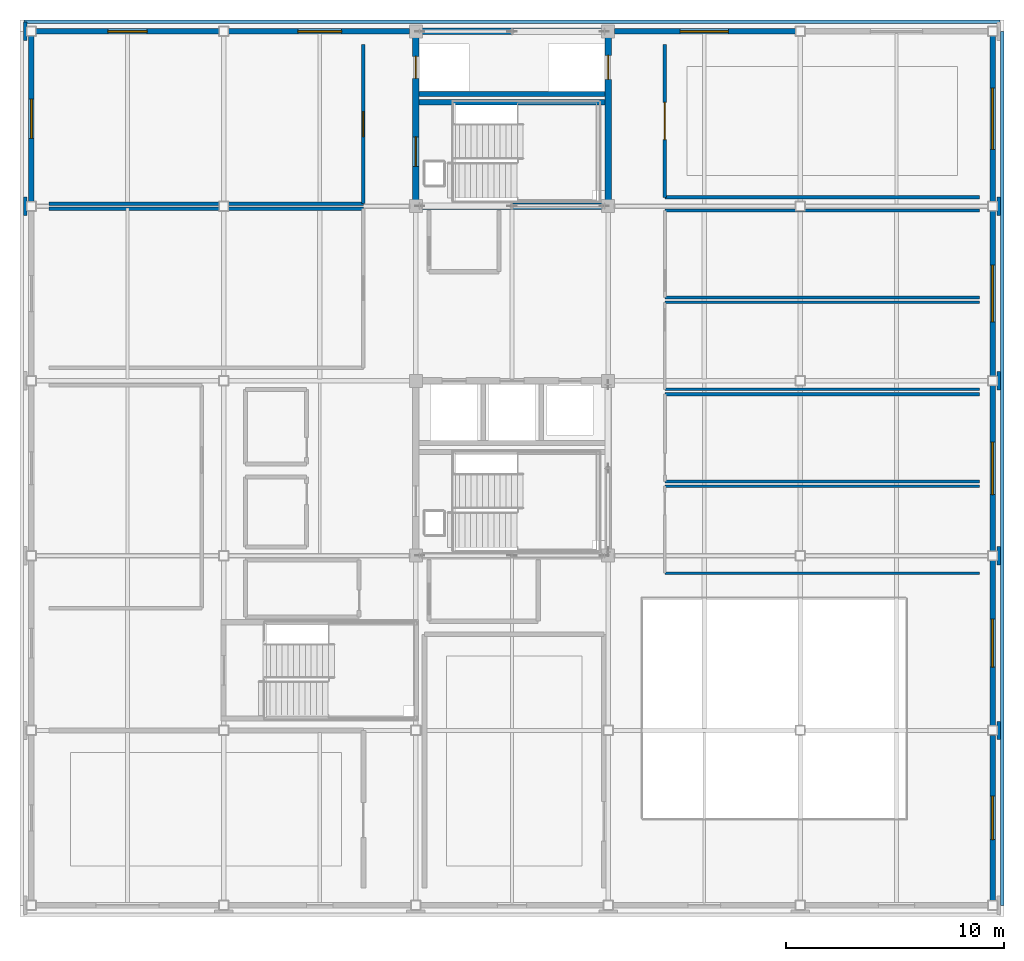
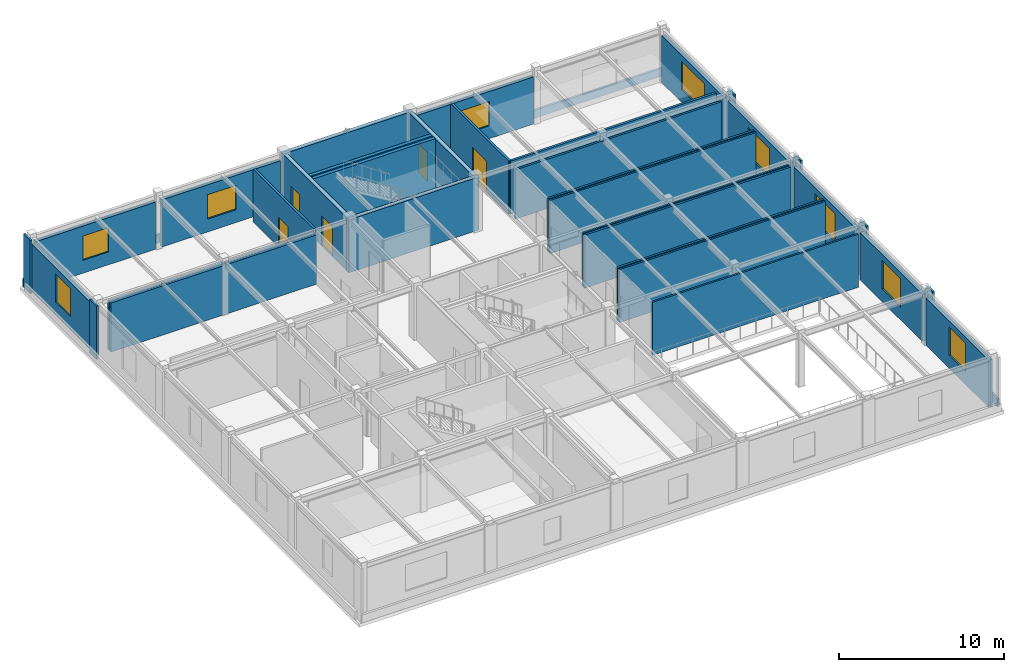
# One storey, part 14 of 18: 36 walls, 9 windows, 5 doors, 14 openings.
"""IFC4 building model written with IfcOpenShell, lengths in metres."""

from ifc_helpers import new_model, si_unit, direction, frame, frame_2d, origin, place, context, subcontext, project, spatial, rectangle, extrude, material, layer, layer_set, type_object, element, fill, save


model = new_model("IFC4")

# Units and contexts
model_context = context("Model", 3, precision=1e-05, world=origin(), true_north=direction((0.0, 1.0)))
body_context = subcontext(model_context, "Body", "Model", "MODEL_VIEW")
ifc_project = project(units=[si_unit("LENGTHUNIT", "METRE"), si_unit("AREAUNIT", "SQUARE_METRE"), si_unit("VOLUMEUNIT", "CUBIC_METRE"), si_unit("PLANEANGLEUNIT", "RADIAN"), si_unit("MASSUNIT", "GRAM", prefix="KILO")], contexts=[model_context])

# Site, building, storey
site_placement = place(None, origin())
site = spatial("IfcSite", under=ifc_project, at=site_placement, CompositionType="ELEMENT")
building_placement = place(site_placement, origin())
building = spatial("IfcBuilding", under=site, at=building_placement, Name="Zhaolan Boulevard Law Courts", CompositionType="ELEMENT")
storey_placement = place(building_placement, frame((0.0, 0.0, 33.0)))
storey = spatial("IfcBuildingStorey", under=building, at=storey_placement, Name="L07", CompositionType="ELEMENT", Elevation=33.0)

# Walls
ifc_material_1 = material(Name="Concrete C50", Category="concrete")
ifc_layer_1 = layer(ifc_material_1, 0.300048828125)
ifc_layer_set_1 = layer_set([ifc_layer_1])
wall_type_1 = type_object("IfcWallType", Name="CORE SHEAR WALL 300", PredefinedType="SHEAR", material=ifc_layer_set_1)
for number, where, z_axis, x_axis, name in (
    (1, (17.449951171875, 62.0, 0.0), (0.0, 0.0, 1.0), (1.0, 0.0, 0.0), "Core Shear Wall CW-W2-L07S"),
    (2, (26.550048828125, 70.0, 0.0), (0.0, 0.0, 1.0), (-1.0, 0.0, 0.0), "Core Shear Wall CW-W2-L07N"),
):
    element("IfcWall", number, at=place(storey_placement, frame(where, z_axis=z_axis, x_axis=x_axis)), inside=storey, type_object=wall_type_1, Name=name, PredefinedType="SHEAR", context=body_context, shape_type="SweptSolid", body=[
        extrude(rectangle(XDim=9.10009765625, YDim=0.300048828125, at=frame_2d((4.550048828125, 0.0))), origin(), (0.0, 0.0, 1.0), 3.919921875),
    ])

# Wall, openings, doors
wall_1_placement = place(storey_placement, frame((17.60009765625, 62.14990234375, 0.0), z_axis=(0.0, 0.0, 1.0), x_axis=(0.0, 1.0, 0.0)))
wall_1 = element("IfcWall", 3, at=wall_1_placement, inside=storey, type_object=wall_type_1, Name="Core Shear Wall CW-W2-L07W", PredefinedType="SHEAR", context=body_context, shape_type="SweptSolid", body=[
    extrude(rectangle(XDim=7.7001953125, YDim=0.300048828125, at=frame_2d((3.85009765625, 0.0))), origin(), (0.0, 0.0, 1.0), 3.919921875),
])
opening_1_placement = place(wall_1_placement, frame((1.675048828125, 0.0, 0.0)))
opening_1 = element("IfcOpeningElement", 4, at=opening_1_placement, cuts=wall_1, Name="Opening SD-L07-20", PredefinedType="OPENING", context=body_context, shape_type="SweptSolid", body=[
    extrude(rectangle(XDim=1.35009765625, YDim=2.199951171875, at=frame_2d((0.675048828125, 1.10009765625))), frame((0.0, 0.159912109375, 0.0), z_axis=(0.0, -1.0, 0.0), x_axis=(1.0, 0.0, 0.0)), (0.0, 0.0, 1.0), 0.320068359375),
])
opening_2_placement = place(wall_1_placement, frame((5.699951171875, 0.0, 0.0)))
opening_2 = element("IfcOpeningElement", 5, at=opening_2_placement, cuts=wall_1, Name="Opening LD-JL-02-L07", PredefinedType="OPENING", context=body_context, shape_type="SweptSolid", body=[
    extrude(rectangle(XDim=1.0, YDim=2.14990234375, at=frame_2d((0.5, 1.074951171875))), frame((0.0, 0.159912109375, 0.0), z_axis=(0.0, -1.0, 0.0), x_axis=(1.0, 0.0, 0.0)), (0.0, 0.0, 1.0), 0.320068359375),
])
ifc_material_2 = material(Name="Stainless steel sliding landing door", Category="steel")
door_type_1 = type_object("IfcDoorType", Name="LIFT LANDING 1000X2150", OperationType="DOUBLE_DOOR_SLIDING", PredefinedType="DOOR", material=ifc_material_2)
door_1_placement = place(opening_2_placement, origin())
door_1 = element("IfcDoor", 6, at=door_1_placement, inside=storey, type_object=door_type_1, Name="Lift Landing Sliding Door LD-JL-02-L07", OperationType="DOUBLE_DOOR_SLIDING", OverallHeight=2.14990234375, OverallWidth=1.0, PredefinedType="DOOR", context=body_context, shape_type="SweptSolid", body=[
    extrude(rectangle(XDim=1.0, YDim=2.14990234375, at=frame_2d((0.5, 1.074951171875))), frame((0.0, 0.02490234375, 0.0), z_axis=(0.0, -1.0, 0.0), x_axis=(1.0, 0.0, 0.0)), (0.0, 0.0, 1.0), 0.050048828125),
])
fill(opening_2, door_1)
ifc_material_3 = material(Name="Fire-rated steel acoustic door", Category="steel")
door_type_2 = type_object("IfcDoorType", Name="STAIR FIRE 1350X2200 R", OperationType="SINGLE_SWING_RIGHT", PredefinedType="DOOR", material=ifc_material_3)
door_2_placement = place(opening_1_placement, origin())
door_2 = element("IfcDoor", 7, at=door_2_placement, inside=storey, type_object=door_type_2, Name="Smoke-Proof Stairwell Fire Door SD-L07-20", OperationType="SINGLE_SWING_RIGHT", OverallHeight=2.199951171875, OverallWidth=1.35009765625, PredefinedType="DOOR", context=body_context, shape_type="SweptSolid", body=[
    extrude(rectangle(XDim=1.35009765625, YDim=2.199951171875, at=frame_2d((0.675048828125, 1.10009765625))), frame((0.0, 0.02490234375, 0.0), z_axis=(0.0, -1.0, 0.0), x_axis=(1.0, 0.0, 0.0)), (0.0, 0.0, 1.0), 0.050048828125),
])
fill(opening_1, door_2)

# Wall, opening, door
wall_2_placement = place(storey_placement, frame((26.39990234375, 62.14990234375, 0.0), z_axis=(0.0, 0.0, 1.0), x_axis=(0.0, 1.0, 0.0)))
wall_2 = element("IfcWall", 8, at=wall_2_placement, inside=storey, type_object=wall_type_1, Name="Core Shear Wall CW-W2-L07E", PredefinedType="SHEAR", context=body_context, shape_type="SweptSolid", body=[
    extrude(rectangle(XDim=7.7001953125, YDim=0.300048828125, at=frame_2d((3.85009765625, 0.0))), origin(), (0.0, 0.0, 1.0), 3.919921875),
])
opening_3_placement = place(wall_2_placement, frame((5.64990234375, 0.0, 0.0)))
opening_3 = element("IfcOpeningElement", 9, at=opening_3_placement, cuts=wall_2, Name="Opening LD-FL-03-L07", PredefinedType="OPENING", context=body_context, shape_type="SweptSolid", body=[
    extrude(rectangle(XDim=1.10009765625, YDim=2.14990234375, at=frame_2d((0.550048828125, 1.074951171875))), frame((0.0, 0.159912109375, 0.0), z_axis=(0.0, -1.0, 0.0), x_axis=(1.0, 0.0, 0.0)), (0.0, 0.0, 1.0), 0.320068359375),
])
ifc_material_4 = material(Name="Stainless steel sliding landing door", Category="steel")
door_type_3 = type_object("IfcDoorType", Name="LIFT LANDING 1100X2150", OperationType="DOUBLE_DOOR_SLIDING", PredefinedType="DOOR", material=ifc_material_4)
door_3_placement = place(opening_3_placement, origin())
door_3 = element("IfcDoor", 10, at=door_3_placement, inside=storey, type_object=door_type_3, Name="Lift Landing Sliding Door LD-FL-03-L07", OperationType="DOUBLE_DOOR_SLIDING", OverallHeight=2.14990234375, OverallWidth=1.10009765625, PredefinedType="DOOR", context=body_context, shape_type="SweptSolid", body=[
    extrude(rectangle(XDim=1.10009765625, YDim=2.14990234375, at=frame_2d((0.550048828125, 1.074951171875))), frame((0.0, 0.02490234375, 0.0), z_axis=(0.0, -1.0, 0.0), x_axis=(1.0, 0.0, 0.0)), (0.0, 0.0, 1.0), 0.050048828125),
])
fill(opening_3, door_3)

# Walls
ifc_material_5 = material(Name="Concrete C40", Category="concrete")
ifc_layer_2 = layer(ifc_material_5, 0.139892578125)
ifc_layer_set_2 = layer_set([ifc_layer_2])
wall_type_2 = type_object("IfcWallType", Name="EXT WALL ARCH CLAD140", PredefinedType="SOLIDWALL", material=ifc_layer_set_2)
for number, where, z_axis, x_axis, name in (
    (11, (44.280029296875, 37.580078125, 0.0), (0.0, 0.0, 1.0), (0.0, 1.0, 0.0), "Concrete Column Cloak Pier CPR-166"),
    (12, (44.280029296875, 45.580078125, 0.0), (0.0, 0.0, 1.0), (0.0, 1.0, 0.0), "Concrete Column Cloak Pier CPR-168"),
    (13, (44.280029296875, 53.580078125, 0.0), (0.0, 0.0, 1.0), (0.0, 1.0, 0.0), "Concrete Column Cloak Pier CPR-170"),
    (14, (-0.280029296875, 61.580078125, 0.0), (0.0, 0.0, 1.0), (0.0, 1.0, 0.0), "Concrete Column Cloak Pier CPR-171"),
    (15, (44.280029296875, 61.580078125, 0.0), (0.0, 0.0, 1.0), (0.0, 1.0, 0.0), "Concrete Column Cloak Pier CPR-172"),
    (16, (-0.280029296875, 69.580078125, 0.0), (0.0, 0.0, 1.0), (0.0, 1.0, 0.0), "Concrete Column Cloak Pier CPR-173"),
):
    element("IfcWall", number, at=place(storey_placement, frame(where, z_axis=z_axis, x_axis=x_axis)), inside=storey, type_object=wall_type_2, Name=name, PredefinedType="SOLIDWALL", context=body_context, shape_type="SweptSolid", body=[
        extrude(rectangle(XDim=0.83984375, YDim=0.139892578125, at=frame_2d((0.419921875, 0.0))), origin(), (0.0, 0.0, 1.0), 3.93994140625),
    ])
ifc_material_6 = material(Name="Concrete C40", Category="concrete")
ifc_layer_3 = layer(ifc_material_6, 0.159912109375)
ifc_layer_set_3 = layer_set([ifc_layer_3])
wall_type_3 = type_object("IfcWallType", Name="EXT WALL ARCH CLAD160", PredefinedType="SOLIDWALL", material=ifc_layer_set_3)
wall_3_placement = place(storey_placement, frame((44.43994140625, 30.0, 0.0), z_axis=(0.0, 0.0, 1.0), x_axis=(0.0, 1.0, 0.0)))
element("IfcWall", 17, at=wall_3_placement, inside=storey, type_object=wall_type_3, Name="Sculpted Concrete Spandrel Band CBW-160", PredefinedType="SOLIDWALL", context=body_context, shape_type="SweptSolid", body=[
    extrude(rectangle(XDim=40.0, YDim=0.159912109375, at=frame_2d((20.0, 0.0))), origin(), (0.0, 0.0, 1.0), 0.580078125),
])
wall_4_placement = place(storey_placement, frame((44.340087890625, 70.43994140625, 0.0), z_axis=(0.0, 0.0, 1.0), x_axis=(-1.0, 0.0, 0.0)))
element("IfcWall", 18, at=wall_4_placement, inside=storey, type_object=wall_type_3, Name="Sculpted Concrete Spandrel Band CBW-162", PredefinedType="SOLIDWALL", context=body_context, shape_type="SweptSolid", body=[
    extrude(rectangle(XDim=44.68017578125, YDim=0.159912109375, at=frame_2d((22.340087890625, 0.0))), origin(), (0.0, 0.0, 1.0), 0.580078125),
])

# Wall, opening, window
ifc_material_7 = material(Name="Concrete C40", Category="concrete")
ifc_layer_4 = layer(ifc_material_7, 0.260009765625)
ifc_layer_set_4 = layer_set([ifc_layer_4])
wall_type_4 = type_object("IfcWallType", Name="EXT WALL CONCRETE260", PredefinedType="SOLIDWALL", material=ifc_layer_set_4)
wall_5_placement = place(storey_placement, frame((8.5791015625, 70.0, 0.0), z_axis=(0.0, 0.0, 1.0), x_axis=(-1.0, 0.0, 0.0)))
wall_5 = element("IfcWall", 19, at=wall_5_placement, inside=storey, type_object=wall_type_4, Name="Exterior Wall EW-L07-394", PredefinedType="SOLIDWALL", context=body_context, shape_type="SweptSolid", body=[
    extrude(rectangle(XDim=8.358154296875, YDim=0.260009765625, at=frame_2d((4.17919921875, 0.0))), origin(), (0.0, 0.0, 1.0), 3.48291015625),
])
opening_4_placement = place(wall_5_placement, frame((3.279052734375, 0.0, 0.949951171875)))
opening_4 = element("IfcOpeningElement", 20, at=opening_4_placement, cuts=wall_5, Name="Opening WIN-L07-244", PredefinedType="OPENING", context=body_context, shape_type="SweptSolid", body=[
    extrude(rectangle(XDim=1.800048828125, YDim=1.800048828125, at=frame_2d((0.89990234375, 0.89990234375))), frame((0.0, 0.139892578125, 0.0), z_axis=(0.0, -1.0, 0.0), x_axis=(1.0, 0.0, 0.0)), (0.0, 0.0, 1.0), 0.280029296875),
])
ifc_material_8 = material(Name="Thermally broken aluminium and low-E glazing", Category="aluminium")
window_type_1 = type_object("IfcWindowType", Name="WINDOW 1800X1800", PartitioningType="DOUBLE_PANEL_VERTICAL", PredefinedType="WINDOW", material=ifc_material_8)
window_1_placement = place(opening_4_placement, origin())
window_1 = element("IfcWindow", 21, at=window_1_placement, inside=storey, type_object=window_type_1, Name="Exterior Window WIN-L07-244", OverallHeight=1.800048828125, OverallWidth=1.800048828125, PartitioningType="SINGLE_PANEL", PredefinedType="WINDOW", context=body_context, shape_type="SweptSolid", body=[
    extrude(rectangle(XDim=1.800048828125, YDim=1.800048828125, at=frame_2d((0.89990234375, 0.89990234375))), frame((0.0, 0.030029296875, 0.0), z_axis=(0.0, -1.0, 0.0), x_axis=(1.0, 0.0, 0.0)), (0.0, 0.0, 1.0), 0.06005859375),
])
fill(opening_4, window_1)

wall_6_placement = place(storey_placement, frame((17.303955078125, 70.0, 0.0), z_axis=(0.0, 0.0, 1.0), x_axis=(-1.0, 0.0, 0.0)))
wall_6 = element("IfcWall", 22, at=wall_6_placement, inside=storey, type_object=wall_type_4, Name="Exterior Wall EW-L07-395", PredefinedType="SOLIDWALL", context=body_context, shape_type="SweptSolid", body=[
    extrude(rectangle(XDim=8.282958984375, YDim=0.260009765625, at=frame_2d((4.1416015625, 0.0))), origin(), (0.0, 0.0, 1.0), 3.48291015625),
])
opening_5_placement = place(wall_6_placement, frame((3.10400390625, 0.0, 0.949951171875)))
opening_5 = element("IfcOpeningElement", 23, at=opening_5_placement, cuts=wall_6, Name="Opening WIN-L07-245", PredefinedType="OPENING", context=body_context, shape_type="SweptSolid", body=[
    extrude(rectangle(XDim=2.0, YDim=1.800048828125, at=frame_2d((1.0, 0.89990234375))), frame((0.0, 0.139892578125, 0.0), z_axis=(0.0, -1.0, 0.0), x_axis=(1.0, 0.0, 0.0)), (0.0, 0.0, 1.0), 0.280029296875),
])
ifc_material_9 = material(Name="Thermally broken aluminium and low-E glazing", Category="aluminium")
window_type_2 = type_object("IfcWindowType", Name="WINDOW 2000X1800", PartitioningType="DOUBLE_PANEL_VERTICAL", PredefinedType="WINDOW", material=ifc_material_9)
window_2_placement = place(opening_5_placement, origin())
window_2 = element("IfcWindow", 24, at=window_2_placement, inside=storey, type_object=window_type_2, Name="Exterior Window WIN-L07-245", OverallHeight=1.800048828125, OverallWidth=2.0, PartitioningType="SINGLE_PANEL", PredefinedType="WINDOW", context=body_context, shape_type="SweptSolid", body=[
    extrude(rectangle(XDim=2.0, YDim=1.800048828125, at=frame_2d((1.0, 0.89990234375))), frame((0.0, 0.030029296875, 0.0), z_axis=(0.0, -1.0, 0.0), x_axis=(1.0, 0.0, 0.0)), (0.0, 0.0, 1.0), 0.06005859375),
])
fill(opening_5, window_2)

wall_7_placement = place(storey_placement, frame((34.97900390625, 70.0, 0.0), z_axis=(0.0, 0.0, 1.0), x_axis=(-1.0, 0.0, 0.0)))
wall_7 = element("IfcWall", 25, at=wall_7_placement, inside=storey, type_object=wall_type_4, Name="Exterior Wall EW-L07-396", PredefinedType="SOLIDWALL", context=body_context, shape_type="SweptSolid", body=[
    extrude(rectangle(XDim=8.282958984375, YDim=0.260009765625, at=frame_2d((4.1416015625, 0.0))), origin(), (0.0, 0.0, 1.0), 3.48291015625),
])
opening_6_placement = place(wall_7_placement, frame((3.0791015625, 0.0, 0.949951171875)))
opening_6 = element("IfcOpeningElement", 26, at=opening_6_placement, cuts=wall_7, Name="Opening WIN-L07-246", PredefinedType="OPENING", context=body_context, shape_type="SweptSolid", body=[
    extrude(rectangle(XDim=2.199951171875, YDim=1.800048828125, at=frame_2d((1.10009765625, 0.89990234375))), frame((0.0, 0.139892578125, 0.0), z_axis=(0.0, -1.0, 0.0), x_axis=(1.0, 0.0, 0.0)), (0.0, 0.0, 1.0), 0.280029296875),
])
ifc_material_10 = material(Name="Thermally broken aluminium and low-E glazing", Category="aluminium")
window_type_3 = type_object("IfcWindowType", Name="WINDOW 2200X1800", PartitioningType="DOUBLE_PANEL_VERTICAL", PredefinedType="WINDOW", material=ifc_material_10)
window_3_placement = place(opening_6_placement, origin())
window_3 = element("IfcWindow", 27, at=window_3_placement, inside=storey, type_object=window_type_3, Name="Exterior Window WIN-L07-246", OverallHeight=1.800048828125, OverallWidth=2.199951171875, PartitioningType="SINGLE_PANEL", PredefinedType="WINDOW", context=body_context, shape_type="SweptSolid", body=[
    extrude(rectangle(XDim=2.199951171875, YDim=1.800048828125, at=frame_2d((1.10009765625, 0.89990234375))), frame((0.0, 0.030029296875, 0.0), z_axis=(0.0, -1.0, 0.0), x_axis=(1.0, 0.0, 0.0)), (0.0, 0.0, 1.0), 0.06005859375),
])
fill(opening_6, window_3)

wall_8_placement = place(storey_placement, frame((0.0, 69.779052734375, 0.0), z_axis=(0.0, 0.0, 1.0), x_axis=(0.0, -1.0, 0.0)))
wall_8 = element("IfcWall", 28, at=wall_8_placement, inside=storey, type_object=wall_type_4, Name="Exterior Wall EW-L07-402", PredefinedType="SOLIDWALL", context=body_context, shape_type="SweptSolid", body=[
    extrude(rectangle(XDim=7.55810546875, YDim=0.260009765625, at=frame_2d((3.779052734375, 0.0))), origin(), (0.0, 0.0, 1.0), 3.48291015625),
])
opening_7_placement = place(wall_8_placement, frame((2.87890625, 0.0, 0.949951171875)))
opening_7 = element("IfcOpeningElement", 29, at=opening_7_placement, cuts=wall_8, Name="Opening WIN-L07-252", PredefinedType="OPENING", context=body_context, shape_type="SweptSolid", body=[
    extrude(rectangle(XDim=1.800048828125, YDim=2.10009765625, at=frame_2d((0.89990234375, 1.050048828125))), frame((0.0, 0.139892578125, 0.0), z_axis=(0.0, -1.0, 0.0), x_axis=(1.0, 0.0, 0.0)), (0.0, 0.0, 1.0), 0.280029296875),
])
ifc_material_11 = material(Name="Thermally broken aluminium and low-E glazing", Category="aluminium")
window_type_4 = type_object("IfcWindowType", Name="WINDOW 1800X2100", PartitioningType="DOUBLE_PANEL_VERTICAL", PredefinedType="WINDOW", material=ifc_material_11)
window_4_placement = place(opening_7_placement, origin())
window_4 = element("IfcWindow", 30, at=window_4_placement, inside=storey, type_object=window_type_4, Name="Exterior Window WIN-L07-252", OverallHeight=2.10009765625, OverallWidth=1.800048828125, PartitioningType="SINGLE_PANEL", PredefinedType="WINDOW", context=body_context, shape_type="SweptSolid", body=[
    extrude(rectangle(XDim=1.800048828125, YDim=2.10009765625, at=frame_2d((0.89990234375, 1.050048828125))), frame((0.0, 0.030029296875, 0.0), z_axis=(0.0, -1.0, 0.0), x_axis=(1.0, 0.0, 0.0)), (0.0, 0.0, 1.0), 0.06005859375),
])
fill(opening_7, window_4)

wall_9_placement = place(storey_placement, frame((44.0, 30.220947265625, 0.0), z_axis=(0.0, 0.0, 1.0), x_axis=(0.0, 1.0, 0.0)))
wall_9 = element("IfcWall", 31, at=wall_9_placement, inside=storey, type_object=wall_type_4, Name="Exterior Wall EW-L07-403", PredefinedType="SOLIDWALL", context=body_context, shape_type="SweptSolid", body=[
    extrude(rectangle(XDim=7.55810546875, YDim=0.260009765625, at=frame_2d((3.779052734375, 0.0))), origin(), (0.0, 0.0, 1.0), 3.48291015625),
])
opening_8_placement = place(wall_9_placement, frame((2.779052734375, 0.0, 0.949951171875)))
opening_8 = element("IfcOpeningElement", 32, at=opening_8_placement, cuts=wall_9, Name="Opening WIN-L07-253", PredefinedType="OPENING", context=body_context, shape_type="SweptSolid", body=[
    extrude(rectangle(XDim=2.0, YDim=2.10009765625, at=frame_2d((1.0, 1.050048828125))), frame((0.0, 0.139892578125, 0.0), z_axis=(0.0, -1.0, 0.0), x_axis=(1.0, 0.0, 0.0)), (0.0, 0.0, 1.0), 0.280029296875),
])
ifc_material_12 = material(Name="Thermally broken aluminium and low-E glazing", Category="aluminium")
window_type_5 = type_object("IfcWindowType", Name="WINDOW 2000X2100", PartitioningType="DOUBLE_PANEL_VERTICAL", PredefinedType="WINDOW", material=ifc_material_12)
window_5_placement = place(opening_8_placement, origin())
window_5 = element("IfcWindow", 33, at=window_5_placement, inside=storey, type_object=window_type_5, Name="Exterior Window WIN-L07-253", OverallHeight=2.10009765625, OverallWidth=2.0, PartitioningType="SINGLE_PANEL", PredefinedType="WINDOW", context=body_context, shape_type="SweptSolid", body=[
    extrude(rectangle(XDim=2.0, YDim=2.10009765625, at=frame_2d((1.0, 1.050048828125))), frame((0.0, 0.030029296875, 0.0), z_axis=(0.0, -1.0, 0.0), x_axis=(1.0, 0.0, 0.0)), (0.0, 0.0, 1.0), 0.06005859375),
])
fill(opening_8, window_5)

wall_10_placement = place(storey_placement, frame((44.0, 38.220947265625, 0.0), z_axis=(0.0, 0.0, 1.0), x_axis=(0.0, 1.0, 0.0)))
wall_10 = element("IfcWall", 34, at=wall_10_placement, inside=storey, type_object=wall_type_4, Name="Exterior Wall EW-L07-404", PredefinedType="SOLIDWALL", context=body_context, shape_type="SweptSolid", body=[
    extrude(rectangle(XDim=7.55810546875, YDim=0.260009765625, at=frame_2d((3.779052734375, 0.0))), origin(), (0.0, 0.0, 1.0), 3.48291015625),
])
opening_9_placement = place(wall_10_placement, frame((2.678955078125, 0.0, 0.949951171875)))
opening_9 = element("IfcOpeningElement", 35, at=opening_9_placement, cuts=wall_10, Name="Opening WIN-L07-254", PredefinedType="OPENING", context=body_context, shape_type="SweptSolid", body=[
    extrude(rectangle(XDim=2.199951171875, YDim=2.10009765625, at=frame_2d((1.10009765625, 1.050048828125))), frame((0.0, 0.139892578125, 0.0), z_axis=(0.0, -1.0, 0.0), x_axis=(1.0, 0.0, 0.0)), (0.0, 0.0, 1.0), 0.280029296875),
])
ifc_material_13 = material(Name="Thermally broken aluminium and low-E glazing", Category="aluminium")
window_type_6 = type_object("IfcWindowType", Name="WINDOW 2200X2100", PartitioningType="DOUBLE_PANEL_VERTICAL", PredefinedType="WINDOW", material=ifc_material_13)
window_6_placement = place(opening_9_placement, origin())
window_6 = element("IfcWindow", 36, at=window_6_placement, inside=storey, type_object=window_type_6, Name="Exterior Window WIN-L07-254", OverallHeight=2.10009765625, OverallWidth=2.199951171875, PartitioningType="SINGLE_PANEL", PredefinedType="WINDOW", context=body_context, shape_type="SweptSolid", body=[
    extrude(rectangle(XDim=2.199951171875, YDim=2.10009765625, at=frame_2d((1.10009765625, 1.050048828125))), frame((0.0, 0.030029296875, 0.0), z_axis=(0.0, -1.0, 0.0), x_axis=(1.0, 0.0, 0.0)), (0.0, 0.0, 1.0), 0.06005859375),
])
fill(opening_9, window_6)

wall_11_placement = place(storey_placement, frame((44.0, 46.220947265625, 0.0), z_axis=(0.0, 0.0, 1.0), x_axis=(0.0, 1.0, 0.0)))
wall_11 = element("IfcWall", 37, at=wall_11_placement, inside=storey, type_object=wall_type_4, Name="Exterior Wall EW-L07-405", PredefinedType="SOLIDWALL", context=body_context, shape_type="SweptSolid", body=[
    extrude(rectangle(XDim=7.55810546875, YDim=0.260009765625, at=frame_2d((3.779052734375, 0.0))), origin(), (0.0, 0.0, 1.0), 3.48291015625),
])
opening_10_placement = place(wall_11_placement, frame((2.5791015625, 0.0, 0.949951171875)))
opening_10 = element("IfcOpeningElement", 38, at=opening_10_placement, cuts=wall_11, Name="Opening WIN-L07-255", PredefinedType="OPENING", context=body_context, shape_type="SweptSolid", body=[
    extrude(rectangle(XDim=2.39990234375, YDim=2.10009765625, at=frame_2d((1.199951171875, 1.050048828125))), frame((0.0, 0.139892578125, 0.0), z_axis=(0.0, -1.0, 0.0), x_axis=(1.0, 0.0, 0.0)), (0.0, 0.0, 1.0), 0.280029296875),
])
ifc_material_14 = material(Name="Thermally broken aluminium and low-E glazing", Category="aluminium")
window_type_7 = type_object("IfcWindowType", Name="WINDOW 2400X2100", PartitioningType="DOUBLE_PANEL_VERTICAL", PredefinedType="WINDOW", material=ifc_material_14)
window_7_placement = place(opening_10_placement, origin())
window_7 = element("IfcWindow", 39, at=window_7_placement, inside=storey, type_object=window_type_7, Name="Exterior Window WIN-L07-255", OverallHeight=2.10009765625, OverallWidth=2.39990234375, PartitioningType="SINGLE_PANEL", PredefinedType="WINDOW", context=body_context, shape_type="SweptSolid", body=[
    extrude(rectangle(XDim=2.39990234375, YDim=2.10009765625, at=frame_2d((1.199951171875, 1.050048828125))), frame((0.0, 0.030029296875, 0.0), z_axis=(0.0, -1.0, 0.0), x_axis=(1.0, 0.0, 0.0)), (0.0, 0.0, 1.0), 0.06005859375),
])
fill(opening_10, window_7)

wall_12_placement = place(storey_placement, frame((44.0, 54.220947265625, 0.0), z_axis=(0.0, 0.0, 1.0), x_axis=(0.0, 1.0, 0.0)))
wall_12 = element("IfcWall", 40, at=wall_12_placement, inside=storey, type_object=wall_type_4, Name="Exterior Wall EW-L07-406", PredefinedType="SOLIDWALL", context=body_context, shape_type="SweptSolid", body=[
    extrude(rectangle(XDim=7.55810546875, YDim=0.260009765625, at=frame_2d((3.779052734375, 0.0))), origin(), (0.0, 0.0, 1.0), 3.48291015625),
])
opening_11_placement = place(wall_12_placement, frame((2.47900390625, 0.0, 0.949951171875)))
opening_11 = element("IfcOpeningElement", 41, at=opening_11_placement, cuts=wall_12, Name="Opening WIN-L07-256", PredefinedType="OPENING", context=body_context, shape_type="SweptSolid", body=[
    extrude(rectangle(XDim=2.60009765625, YDim=2.10009765625, at=frame_2d((1.300048828125, 1.050048828125))), frame((0.0, 0.139892578125, 0.0), z_axis=(0.0, -1.0, 0.0), x_axis=(1.0, 0.0, 0.0)), (0.0, 0.0, 1.0), 0.280029296875),
])
ifc_material_15 = material(Name="Thermally broken aluminium and low-E glazing", Category="aluminium")
window_type_8 = type_object("IfcWindowType", Name="WINDOW 2600X2100", PartitioningType="DOUBLE_PANEL_VERTICAL", PredefinedType="WINDOW", material=ifc_material_15)
window_8_placement = place(opening_11_placement, origin())
window_8 = element("IfcWindow", 42, at=window_8_placement, inside=storey, type_object=window_type_8, Name="Exterior Window WIN-L07-256", OverallHeight=2.10009765625, OverallWidth=2.60009765625, PartitioningType="SINGLE_PANEL", PredefinedType="WINDOW", context=body_context, shape_type="SweptSolid", body=[
    extrude(rectangle(XDim=2.60009765625, YDim=2.10009765625, at=frame_2d((1.300048828125, 1.050048828125))), frame((0.0, 0.030029296875, 0.0), z_axis=(0.0, -1.0, 0.0), x_axis=(1.0, 0.0, 0.0)), (0.0, 0.0, 1.0), 0.06005859375),
])
fill(opening_11, window_8)

wall_13_placement = place(storey_placement, frame((44.0, 62.220947265625, 0.0), z_axis=(0.0, 0.0, 1.0), x_axis=(0.0, 1.0, 0.0)))
wall_13 = element("IfcWall", 43, at=wall_13_placement, inside=storey, type_object=wall_type_4, Name="Exterior Wall EW-L07-407", PredefinedType="SOLIDWALL", context=body_context, shape_type="SweptSolid", body=[
    extrude(rectangle(XDim=7.55810546875, YDim=0.260009765625, at=frame_2d((3.779052734375, 0.0))), origin(), (0.0, 0.0, 1.0), 3.48291015625),
])
opening_12_placement = place(wall_13_placement, frame((2.37890625, 0.0, 0.949951171875)))
opening_12 = element("IfcOpeningElement", 44, at=opening_12_placement, cuts=wall_13, Name="Opening WIN-L07-257", PredefinedType="OPENING", context=body_context, shape_type="SweptSolid", body=[
    extrude(rectangle(XDim=2.800048828125, YDim=2.10009765625, at=frame_2d((1.39990234375, 1.050048828125))), frame((0.0, 0.139892578125, 0.0), z_axis=(0.0, -1.0, 0.0), x_axis=(1.0, 0.0, 0.0)), (0.0, 0.0, 1.0), 0.280029296875),
])
ifc_material_16 = material(Name="Thermally broken aluminium and low-E glazing", Category="aluminium")
window_type_9 = type_object("IfcWindowType", Name="WINDOW 2800X2100", PartitioningType="DOUBLE_PANEL_VERTICAL", PredefinedType="WINDOW", material=ifc_material_16)
window_9_placement = place(opening_12_placement, origin())
window_9 = element("IfcWindow", 45, at=window_9_placement, inside=storey, type_object=window_type_9, Name="Exterior Window WIN-L07-257", OverallHeight=2.10009765625, OverallWidth=2.800048828125, PartitioningType="SINGLE_PANEL", PredefinedType="WINDOW", context=body_context, shape_type="SweptSolid", body=[
    extrude(rectangle(XDim=2.800048828125, YDim=2.10009765625, at=frame_2d((1.39990234375, 1.050048828125))), frame((0.0, 0.030029296875, 0.0), z_axis=(0.0, -1.0, 0.0), x_axis=(1.0, 0.0, 0.0)), (0.0, 0.0, 1.0), 0.06005859375),
])
fill(opening_12, window_9)

# Walls
ifc_material_17 = material(Name="Concrete C50", Category="concrete")
ifc_layer_5 = layer(ifc_material_17, 0.239990234375)
ifc_layer_set_5 = layer_set([ifc_layer_5])
wall_type_5 = type_object("IfcWallType", Name="LIFT SHAFT WALL 240", PredefinedType="SHEAR", material=ifc_layer_set_5)
wall_14_placement = place(storey_placement, frame((17.75, 67.1298828125, 0.0), z_axis=(0.0, 0.0, 1.0), x_axis=(1.0, 0.0, 0.0)))
element("IfcWall", 46, at=wall_14_placement, inside=storey, type_object=wall_type_5, Name="Lift Shaft Enclosure Wall W2 (L07)", PredefinedType="SHEAR", context=body_context, shape_type="SweptSolid", body=[
    extrude(rectangle(XDim=8.5, YDim=0.239990234375, at=frame_2d((4.25, 0.0))), origin(), (0.0, 0.0, 1.0), 3.919921875),
])
ifc_material_18 = material(Name="Fire-rated gypsum stud partition")
ifc_layer_6 = layer(ifc_material_18, 0.159912109375)
ifc_layer_set_6 = layer_set([ifc_layer_6])
wall_type_6 = type_object("IfcWallType", Name="PART WALL CHAMB160", PredefinedType="PARTITIONING", material=ifc_layer_set_6)
for number, where, z_axis, x_axis, name in (
    (47, (15.199951171875, 61.889892578125, 0.0), (0.0, 0.0, 1.0), (-1.0, 0.0, 0.0), "Interior Partition PW-L07-692"),
    (48, (0.800048828125, 62.110107421875, 0.0), (0.0, 0.0, 1.0), (1.0, 0.0, 0.0), "Interior Partition PW-L07-694"),
):
    element("IfcWall", number, at=place(storey_placement, frame(where, z_axis=z_axis, x_axis=x_axis)), inside=storey, type_object=wall_type_6, Name=name, PredefinedType="PARTITIONING", context=body_context, shape_type="SweptSolid", body=[
        extrude(rectangle(XDim=14.39990234375, YDim=0.159912109375, at=frame_2d((7.199951171875, 0.0))), origin(), (0.0, 0.0, 1.0), 3.635986328125),
    ])

# Wall, opening, door
wall_15_placement = place(storey_placement, frame((15.199951171875, 62.110107421875, 0.0), z_axis=(0.0, 0.0, 1.0), x_axis=(0.0, 1.0, 0.0)))
wall_15 = element("IfcWall", 49, at=wall_15_placement, inside=storey, type_object=wall_type_6, Name="Interior Partition PW-L07-695", PredefinedType="PARTITIONING", context=body_context, shape_type="SweptSolid", body=[
    extrude(rectangle(XDim=7.289794921875, YDim=0.159912109375, at=frame_2d((3.64501953125, 0.0))), origin(), (0.0, 0.0, 1.0), 3.919921875),
])
opening_13_placement = place(wall_15_placement, frame((3.070068359375, 0.0, 0.0)))
opening_13 = element("IfcOpeningElement", 50, at=opening_13_placement, cuts=wall_15, Name="Opening JR-L07-213", PredefinedType="OPENING", context=body_context, shape_type="SweptSolid", body=[
    extrude(rectangle(XDim=1.14990234375, YDim=2.199951171875, at=frame_2d((0.574951171875, 1.10009765625))), frame((0.0, 0.08984375, 0.0), z_axis=(0.0, -1.0, 0.0), x_axis=(1.0, 0.0, 0.0)), (0.0, 0.0, 1.0), 0.179931640625),
])
ifc_material_19 = material(Name="Solid-core acoustic oak veneer door")
door_type_4 = type_object("IfcDoorType", Name="JURY DOOR 1150X2200 L", OperationType="SINGLE_SWING_LEFT", PredefinedType="DOOR", material=ifc_material_19)
door_4_placement = place(opening_13_placement, origin())
door_4 = element("IfcDoor", 51, at=door_4_placement, inside=storey, type_object=door_type_4, Name="Door JR-L07-213 (Jury Room L07-02)", OperationType="SINGLE_SWING_LEFT", OverallHeight=2.199951171875, OverallWidth=1.14990234375, PredefinedType="DOOR", context=body_context, shape_type="SweptSolid", body=[
    extrude(rectangle(XDim=1.14990234375, YDim=2.199951171875, at=frame_2d((0.574951171875, 1.10009765625))), frame((0.0, 0.02490234375, 0.0), z_axis=(0.0, -1.0, 0.0), x_axis=(1.0, 0.0, 0.0)), (0.0, 0.0, 1.0), 0.050048828125),
])
fill(opening_13, door_4)

# Wall
wall_16_placement = place(storey_placement, frame((29.0, 62.39990234375, 0.0), z_axis=(0.0, 0.0, 1.0), x_axis=(1.0, 0.0, 0.0)))
element("IfcWall", 52, at=wall_16_placement, inside=storey, type_object=wall_type_6, Name="Interior Partition PW-L07-708", PredefinedType="PARTITIONING", context=body_context, shape_type="SweptSolid", body=[
    extrude(rectangle(XDim=14.39990234375, YDim=0.159912109375, at=frame_2d((7.199951171875, 0.0))), origin(), (0.0, 0.0, 1.0), 3.919921875),
])

# Wall, opening, door
wall_17_placement = place(storey_placement, frame((29.0, 69.39990234375, 0.0), z_axis=(0.0, 0.0, 1.0), x_axis=(0.0, -1.0, 0.0)))
wall_17 = element("IfcWall", 53, at=wall_17_placement, inside=storey, type_object=wall_type_6, Name="Interior Partition PW-L07-709", PredefinedType="PARTITIONING", context=body_context, shape_type="SweptSolid", body=[
    extrude(rectangle(XDim=7.0, YDim=0.159912109375, at=frame_2d((3.5, 0.0))), origin(), (0.0, 0.0, 1.0), 3.919921875),
])
opening_14_placement = place(wall_17_placement, frame((2.64990234375, 0.0, 0.0)))
opening_14 = element("IfcOpeningElement", 54, at=opening_14_placement, cuts=wall_17, Name="Opening ID-L07-218", PredefinedType="OPENING", context=body_context, shape_type="SweptSolid", body=[
    extrude(rectangle(XDim=1.699951171875, YDim=2.300048828125, at=frame_2d((0.85009765625, 1.14990234375))), frame((0.0, 0.08984375, 0.0), z_axis=(0.0, -1.0, 0.0), x_axis=(1.0, 0.0, 0.0)), (0.0, 0.0, 1.0), 0.179931640625),
])
ifc_material_20 = material(Name="Solid-core acoustic oak veneer door")
door_type_5 = type_object("IfcDoorType", Name="LIB DOUBLE 1700X2300", OperationType="DOUBLE_DOOR_SINGLE_SWING", PredefinedType="DOOR", material=ifc_material_20)
door_5_placement = place(opening_14_placement, origin())
door_5 = element("IfcDoor", 55, at=door_5_placement, inside=storey, type_object=door_type_5, Name="Door ID-L07-218 (Appellate Dossier Archive Room)", OperationType="DOUBLE_DOOR_SINGLE_SWING", OverallHeight=2.300048828125, OverallWidth=1.699951171875, PredefinedType="DOOR", context=body_context, shape_type="SweptSolid", body=[
    extrude(rectangle(XDim=1.699951171875, YDim=2.300048828125, at=frame_2d((0.85009765625, 1.14990234375))), frame((0.0, 0.02490234375, 0.0), z_axis=(0.0, -1.0, 0.0), x_axis=(1.0, 0.0, 0.0)), (0.0, 0.0, 1.0), 0.050048828125),
])
fill(opening_14, door_5)

# Walls
ifc_material_21 = material(Name="Gypsum board stud partition")
ifc_layer_7 = layer(ifc_material_21, 0.1201171875)
ifc_layer_set_7 = layer_set([ifc_layer_7])
wall_type_7 = type_object("IfcWallType", Name="PART WALL LIGHT120", PredefinedType="PARTITIONING", material=ifc_layer_set_7)
for number, where, z_axis, x_axis, name in (
    (56, (29.0, 45.199951171875, 0.0), (0.0, 0.0, 1.0), (1.0, 0.0, 0.0), "Interior Partition PW-L07-696"),
    (57, (43.39990234375, 49.18505859375, 0.0), (0.0, 0.0, 1.0), (-1.0, 0.0, 0.0), "Interior Partition PW-L07-697"),
    (58, (29.0, 53.610107421875, 0.0), (0.0, 0.0, 1.0), (1.0, 0.0, 0.0), "Interior Partition PW-L07-702"),
    (59, (43.39990234375, 57.594970703125, 0.0), (0.0, 0.0, 1.0), (-1.0, 0.0, 0.0), "Interior Partition PW-L07-703"),
):
    element("IfcWall", number, at=place(storey_placement, frame(where, z_axis=z_axis, x_axis=x_axis)), inside=storey, type_object=wall_type_7, Name=name, PredefinedType="PARTITIONING", context=body_context, shape_type="SweptSolid", body=[
        extrude(rectangle(XDim=14.39990234375, YDim=0.1201171875, at=frame_2d((7.199951171875, 0.0))), origin(), (0.0, 0.0, 1.0), 3.919921875),
    ])
ifc_material_22 = material(Name="Fire-rated gypsum stud partition")
ifc_layer_8 = layer(ifc_material_22, 0.139892578125)
ifc_layer_set_8 = layer_set([ifc_layer_8])
wall_type_8 = type_object("IfcWallType", Name="PART WALL OFFICE140", PredefinedType="PARTITIONING", material=ifc_layer_set_8)
for number, where, z_axis, x_axis, name in (
    (60, (29.0, 49.405029296875, 0.0), (0.0, 0.0, 1.0), (1.0, 0.0, 0.0), "Interior Partition PW-L07-699"),
    (61, (43.39990234375, 53.389892578125, 0.0), (0.0, 0.0, 1.0), (-1.0, 0.0, 0.0), "Interior Partition PW-L07-700"),
    (62, (29.0, 57.81494140625, 0.0), (0.0, 0.0, 1.0), (1.0, 0.0, 0.0), "Interior Partition PW-L07-705"),
):
    element("IfcWall", number, at=place(storey_placement, frame(where, z_axis=z_axis, x_axis=x_axis)), inside=storey, type_object=wall_type_8, Name=name, PredefinedType="PARTITIONING", context=body_context, shape_type="SweptSolid", body=[
        extrude(rectangle(XDim=14.39990234375, YDim=0.139892578125, at=frame_2d((7.199951171875, 0.0))), origin(), (0.0, 0.0, 1.0), 3.919921875),
    ])
wall_18_placement = place(storey_placement, frame((43.39990234375, 61.800048828125, 0.0), z_axis=(0.0, 0.0, 1.0), x_axis=(-1.0, 0.0, 0.0)))
element("IfcWall", 63, at=wall_18_placement, inside=storey, type_object=wall_type_8, Name="Interior Partition PW-L07-706", PredefinedType="PARTITIONING", context=body_context, shape_type="SweptSolid", body=[
    extrude(rectangle(XDim=14.39990234375, YDim=0.139892578125, at=frame_2d((7.199951171875, 0.0))), origin(), (0.0, 0.0, 1.0), 3.635986328125),
])
ifc_material_23 = material(Name="Concrete C50", Category="concrete")
ifc_layer_9 = layer(ifc_material_23, 0.239990234375)
ifc_layer_set_9 = layer_set([ifc_layer_9])
wall_type_9 = type_object("IfcWallType", Name="STAIR WELL WALL 240", PredefinedType="SHEAR", material=ifc_layer_set_9)
wall_19_placement = place(storey_placement, frame((17.75, 66.75, 0.0), z_axis=(0.0, 0.0, 1.0), x_axis=(1.0, 0.0, 0.0)))
element("IfcWall", 64, at=wall_19_placement, inside=storey, type_object=wall_type_9, Name="Stairwell Divider Shear Wall ST02-L07N", PredefinedType="SHEAR", context=body_context, shape_type="SweptSolid", body=[
    extrude(rectangle(XDim=8.5, YDim=0.239990234375, at=frame_2d((4.25, 0.0))), origin(), (0.0, 0.0, 1.0), 3.949951171875),
])

save(model, "model.ifc")
